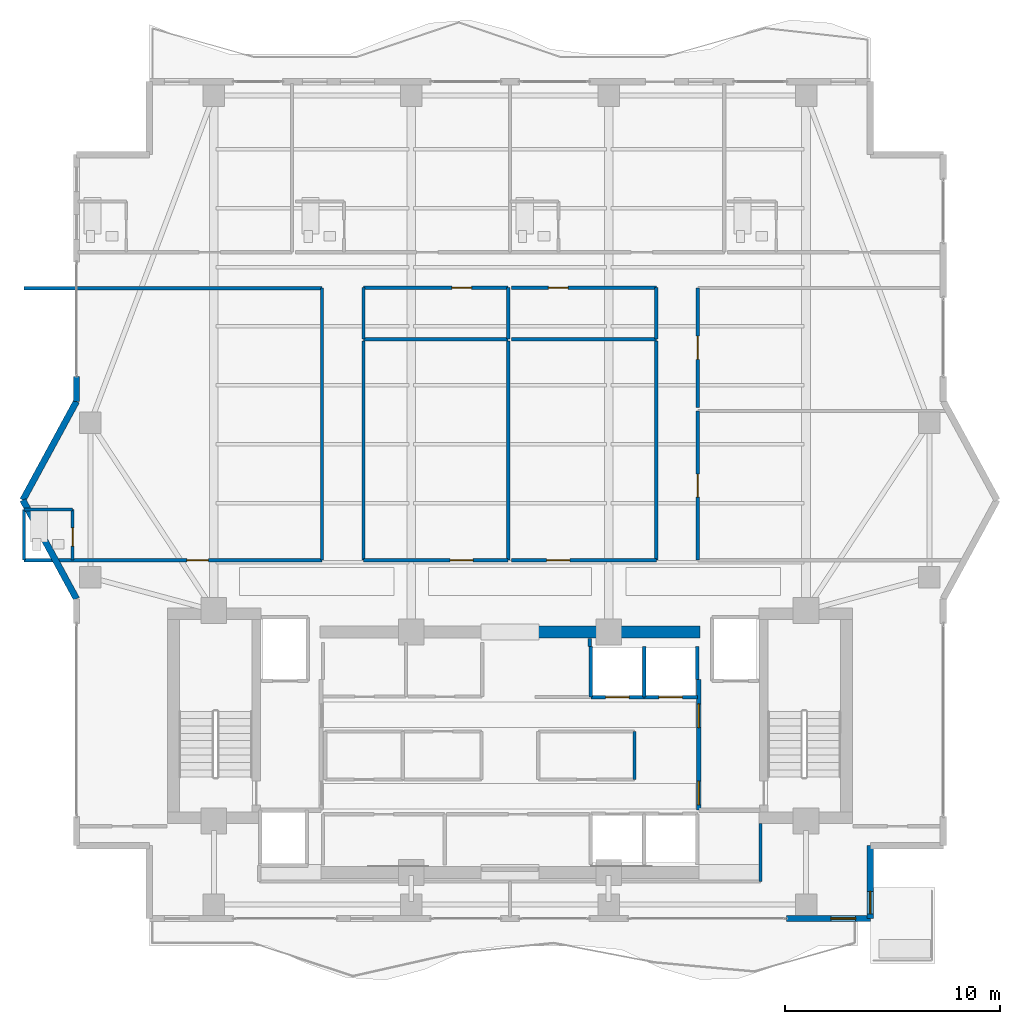
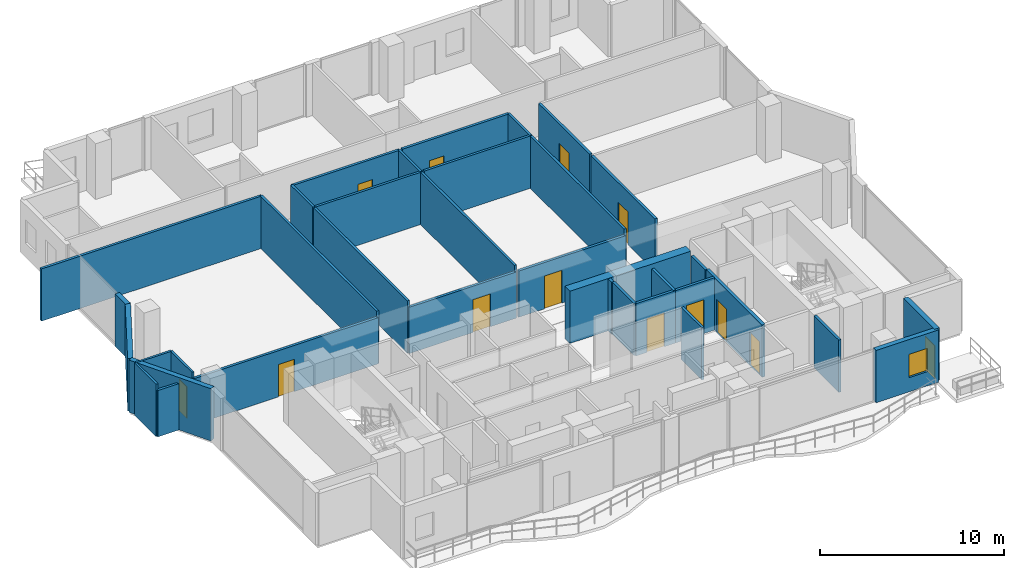
# One storey, part 20 of 25: 35 walls, 13 doors, 1 window, 14 openings.
"""IFC4 building model written with IfcOpenShell, lengths in metres."""

from ifc_helpers import new_model, si_unit, direction, frame, frame_2d, origin, place, context, subcontext, project, spatial, rectangle, extrude, material, layer, layer_set, type_object, element, fill, save


model = new_model("IFC4")

# Units and contexts
model_context = context("Model", 3, precision=1e-05, world=origin(), true_north=direction((0.0, 1.0)))
body_context = subcontext(model_context, "Body", "Model", "MODEL_VIEW")
ifc_project = project(units=[si_unit("LENGTHUNIT", "METRE"), si_unit("AREAUNIT", "SQUARE_METRE"), si_unit("VOLUMEUNIT", "CUBIC_METRE"), si_unit("PLANEANGLEUNIT", "RADIAN"), si_unit("MASSUNIT", "GRAM", prefix="KILO")], contexts=[model_context])

# Site, building, storey
site_placement = place(None, origin())
site = spatial("IfcSite", under=ifc_project, at=site_placement, CompositionType="ELEMENT")
building_placement = place(site_placement, origin())
building = spatial("IfcBuilding", under=site, at=building_placement, Name="Zuhayl Quay Hotel", CompositionType="ELEMENT")
storey_placement = place(building_placement, frame((0.0, 0.0, 250.75)))
storey = spatial("IfcBuildingStorey", under=building, at=storey_placement, Name="L63", CompositionType="ELEMENT", Elevation=250.75)

# Walls
ifc_material_1 = material(Name="Concrete C50/60", Category="concrete")
ifc_layer_1 = layer(ifc_material_1, 0.550048828125, Name="Concrete C50/60", Category="concrete")
ifc_layer_set_1 = layer_set([ifc_layer_1], Name="Concrete C50/60")
wall_type_1 = type_object("IfcWallType", Name="WL_CORE_550", PredefinedType="SHEAR", material=ifc_layer_set_1)
wall_1_placement = place(storey_placement, frame((1.25, 13.35009765625, 0.0), z_axis=(0.0, 0.0, 1.0), x_axis=(1.0, 0.0, 0.0)))
element("IfcWall", 1, at=wall_1_placement, inside=storey, type_object=wall_type_1, Name="L63 Core Shear Wall CW_NC_E", PredefinedType="SHEAR", context=body_context, shape_type="SweptSolid", body=[
    extrude(rectangle(XDim=7.60009765625, YDim=0.550048828125, at=frame_2d((3.800048828125, 0.0))), origin(), (0.0, 0.0, 1.0), 3.47998046875),
])
ifc_material_2 = material(Name="Precast concrete C45/55", Category="concrete")
ifc_layer_2 = layer(ifc_material_2, 0.300048828125, Name="Precast concrete C45/55", Category="concrete")
ifc_layer_set_2 = layer_set([ifc_layer_2], Name="Precast concrete C45/55")
wall_type_2 = type_object("IfcWallType", Name="WL_EXT_300", PredefinedType="STANDARD", material=ifc_layer_set_2)
for number, where, z_axis, x_axis, name in (
    (2, (-20.199951171875, 14.89990234375, 0.0), (0.0, 0.0, 1.0), (-0.477505494629, 0.878628762675, 0.0), "L63 Exterior Precast Wall ENV_L63_EW03"),
    (3, (-22.699951171875, 19.5, 0.0), (0.0, 0.0, 1.0), (0.477505494629, 0.878628762675, 0.0), "L63 Exterior Precast Wall ENV_L63_EW04"),
):
    element("IfcWall", number, at=place(storey_placement, frame(where, z_axis=z_axis, x_axis=x_axis)), inside=storey, type_object=wall_type_2, Name=name, PredefinedType="STANDARD", context=body_context, shape_type="SweptSolid", body=[
        extrude(rectangle(XDim=5.235595703125, YDim=0.300048828125, at=frame_2d((2.61767578125, 0.0))), origin(), (0.0, 0.0, 1.0), 3.47998046875),
    ])
wall_2_placement = place(storey_placement, frame((-20.199951171875, 24.10009765625, 0.0), z_axis=(0.0, 0.0, 1.0), x_axis=(0.0, 1.0, 0.0)))
element("IfcWall", 4, at=wall_2_placement, inside=storey, type_object=wall_type_2, Name="L63 Exterior Precast Wall ENV_L63_E05_EW1", PredefinedType="STANDARD", context=body_context, shape_type="SweptSolid", body=[
    extrude(rectangle(XDim=1.14990234375, YDim=0.300048828125, at=frame_2d((0.574951171875, 0.0))), origin(), (0.0, 0.0, 1.0), 3.47998046875),
])

# Wall, opening, door
wall_3_placement = place(storey_placement, frame((16.800048828125, 3.39990234375, 0.0), z_axis=(0.0, 0.0, 1.0), x_axis=(0.0, -1.0, 0.0)))
wall_3 = element("IfcWall", 5, at=wall_3_placement, inside=storey, type_object=wall_type_2, Name="L63 Exterior Precast Wall ENV_L63_SP_SE", PredefinedType="STANDARD", context=body_context, shape_type="SweptSolid", body=[
    extrude(rectangle(XDim=3.39990234375, YDim=0.300048828125, at=frame_2d((1.699951171875, 0.0))), origin(), (0.0, 0.0, 1.0), 3.47998046875),
])
opening_1_placement = place(wall_3_placement, frame((2.1298828125, 0.0, 0.0)))
opening_1 = element("IfcOpeningElement", 6, at=opening_1_placement, cuts=wall_3, Name="Opening DG1", PredefinedType="OPENING", context=body_context, shape_type="SweptSolid", body=[
    extrude(rectangle(XDim=1.050048828125, YDim=2.199951171875, at=frame_2d((0.52490234375, 1.10009765625))), frame((0.0, 0.159912109375, 0.0), z_axis=(0.0, -1.0, 0.0), x_axis=(1.0, 0.0, 0.0)), (0.0, 0.0, 1.0), 0.320068359375),
])
ifc_material_3 = material(Name="Anodised Aluminium and Dark Solar Glass", Category="aluminium")
door_type_1 = type_object("IfcDoorType", Name="DR_EXT_TERR_1050", OperationType="NOTDEFINED", PredefinedType="DOOR", material=ifc_material_3)
door_1_placement = place(opening_1_placement, origin())
door_1 = element("IfcDoor", 7, at=door_1_placement, inside=storey, type_object=door_type_1, Name="L63 Spiral Sky-Terrace SE Access Door", OperationType="SINGLE_SWING_LEFT", OverallHeight=2.199951171875, OverallWidth=1.050048828125, PredefinedType="DOOR", context=body_context, shape_type="SweptSolid", body=[
    extrude(rectangle(XDim=1.050048828125, YDim=2.199951171875, at=frame_2d((0.52490234375, 1.10009765625))), frame((0.0, 0.02490234375, 0.0), z_axis=(0.0, -1.0, 0.0), x_axis=(1.0, 0.0, 0.0)), (0.0, 0.0, 1.0), 0.050048828125),
])
fill(opening_1, door_1)

# Wall, opening, window
wall_4_placement = place(storey_placement, frame((16.800048828125, 0.0, 0.0), z_axis=(0.0, 0.0, 1.0), x_axis=(-1.0, 0.0, 0.0)))
wall_4 = element("IfcWall", 8, at=wall_4_placement, inside=storey, type_object=wall_type_2, Name="L63 Exterior Precast Wall ENV_L63_S_EW1", PredefinedType="STANDARD", context=body_context, shape_type="SweptSolid", body=[
    extrude(rectangle(XDim=3.920166015625, YDim=0.300048828125, at=frame_2d((1.9599609375, 0.0))), origin(), (0.0, 0.0, 1.0), 3.47998046875),
])
opening_2_placement = place(wall_4_placement, frame((0.695068359375, 0.0, 0.949951171875)))
opening_2 = element("IfcOpeningElement", 9, at=opening_2_placement, cuts=wall_4, Name="Opening W01N", PredefinedType="OPENING", context=body_context, shape_type="SweptSolid", body=[
    extrude(rectangle(XDim=1.14990234375, YDim=1.550048828125, at=frame_2d((0.574951171875, 0.77490234375))), frame((0.0, 0.159912109375, 0.0), z_axis=(0.0, -1.0, 0.0), x_axis=(1.0, 0.0, 0.0)), (0.0, 0.0, 1.0), 0.320068359375),
])
ifc_material_4 = material(Name="Dark Ceramic-Fritted Solar Glass", Category="glass")
window_type = type_object("IfcWindowType", Name="WN_NOTCH_1350", PartitioningType="SINGLE_PANEL", PredefinedType="WINDOW", material=ifc_material_4)
window_placement = place(opening_2_placement, origin())
window = element("IfcWindow", 10, at=window_placement, inside=storey, type_object=window_type, Name="L63 Operable Facade Window 1-1", OverallHeight=1.550048828125, OverallWidth=1.14990234375, PartitioningType="SINGLE_PANEL", PredefinedType="WINDOW", context=body_context, shape_type="SweptSolid", body=[
    extrude(rectangle(XDim=1.14990234375, YDim=1.550048828125, at=frame_2d((0.574951171875, 0.77490234375))), frame((0.0, 0.030029296875, 0.0), z_axis=(0.0, -1.0, 0.0), x_axis=(1.0, 0.0, 0.0)), (0.0, 0.0, 1.0), 0.06005859375),
])
fill(opening_2, window)

# Walls
ifc_material_5 = material(Name="Acoustic Gypsum Partition STC-58")
ifc_layer_3 = layer(ifc_material_5, 0.14990234375, Name="Acoustic Gypsum Partition STC-58")
ifc_layer_set_3 = layer_set([ifc_layer_3], Name="Acoustic Gypsum Partition STC-58")
wall_type_3 = type_object("IfcWallType", Name="WL_PART_150", PredefinedType="PARTITIONING", material=ifc_layer_set_3)
wall_5_placement = place(storey_placement, frame((5.81005859375, 6.47998046875, 0.0), z_axis=(0.0, 0.0, 1.0), x_axis=(0.0, 1.0, 0.0)))
element("IfcWall", 11, at=wall_5_placement, inside=storey, type_object=wall_type_3, Name="L63 Partition IW_L63_CORE_PN_E", PredefinedType="PARTITIONING", context=body_context, shape_type="SweptSolid", body=[
    extrude(rectangle(XDim=2.239990234375, YDim=0.14990234375, at=frame_2d((1.1201171875, 0.0))), origin(), (0.0, 0.0, 1.0), 3.47998046875),
])
wall_6_placement = place(storey_placement, frame((3.719970703125, 12.679931640625, 0.0), z_axis=(0.0, 0.0, 1.0), x_axis=(0.0, 1.0, 0.0)))
element("IfcWall", 12, at=wall_6_placement, inside=storey, type_object=wall_type_3, Name="L63 Partition IW_L63_VEST_MP4_E", PredefinedType="PARTITIONING", context=body_context, shape_type="SweptSolid", body=[
    extrude(rectangle(XDim=0.3701171875, YDim=0.14990234375, at=frame_2d((0.18505859375, 0.0))), origin(), (0.0, 0.0, 1.0), 3.47998046875),
])
wall_7_placement = place(storey_placement, frame((11.679931640625, 1.719970703125, 0.0), z_axis=(0.0, 0.0, 1.0), x_axis=(0.0, 1.0, 0.0)))
element("IfcWall", 13, at=wall_7_placement, inside=storey, type_object=wall_type_3, Name="L63 Partition IW_L63_Z4_SUN_SE_IN", PredefinedType="PARTITIONING", context=body_context, shape_type="SweptSolid", body=[
    extrude(rectangle(XDim=2.699951171875, YDim=0.14990234375, at=frame_2d((1.35009765625, 0.0))), origin(), (0.0, 0.0, 1.0), 3.47998046875),
])
wall_8_placement = place(storey_placement, frame((-6.820068359375, 27.0, 0.0), z_axis=(0.0, 0.0, 1.0), x_axis=(1.0, 0.0, 0.0)))
element("IfcWall", 14, at=wall_8_placement, inside=storey, type_object=wall_type_3, Name="L63 Partition IW_L63_HK_MAIN_S", PredefinedType="PARTITIONING", context=body_context, shape_type="SweptSolid", body=[
    extrude(rectangle(XDim=6.739990234375, YDim=0.14990234375, at=frame_2d((3.3701171875, 0.0))), origin(), (0.0, 0.0, 1.0), 3.47998046875),
])
for number, where, z_axis, x_axis, name in (
    (15, (-6.820068359375, 27.0, 0.0), (0.0, 0.0, 1.0), (0.0, 1.0, 0.0), "L63 Partition IW_L63_HK_MAIN_W"),
    (16, (-0.080078125, 27.0, 0.0), (0.0, 0.0, 1.0), (0.0, 1.0, 0.0), "L63 Partition IW_L63_HK_MAIN_E"),
):
    element("IfcWall", number, at=place(storey_placement, frame(where, z_axis=z_axis, x_axis=x_axis)), inside=storey, type_object=wall_type_3, Name=name, PredefinedType="PARTITIONING", context=body_context, shape_type="SweptSolid", body=[
        extrude(rectangle(XDim=2.39990234375, YDim=0.14990234375, at=frame_2d((1.199951171875, 0.0))), origin(), (0.0, 0.0, 1.0), 3.47998046875),
    ])
wall_9_placement = place(storey_placement, frame((0.080078125, 27.0, 0.0), z_axis=(0.0, 0.0, 1.0), x_axis=(1.0, 0.0, 0.0)))
element("IfcWall", 17, at=wall_9_placement, inside=storey, type_object=wall_type_3, Name="L63 Partition IW_L63_TEA_MAIN_S", PredefinedType="PARTITIONING", context=body_context, shape_type="SweptSolid", body=[
    extrude(rectangle(XDim=6.739990234375, YDim=0.14990234375, at=frame_2d((3.3701171875, 0.0))), origin(), (0.0, 0.0, 1.0), 3.47998046875),
])
wall_10_placement = place(storey_placement, frame((6.820068359375, 27.0, 0.0), z_axis=(0.0, 0.0, 1.0), x_axis=(0.0, 1.0, 0.0)))
element("IfcWall", 18, at=wall_10_placement, inside=storey, type_object=wall_type_3, Name="L63 Partition IW_L63_TEA_MAIN_E", PredefinedType="PARTITIONING", context=body_context, shape_type="SweptSolid", body=[
    extrude(rectangle(XDim=2.39990234375, YDim=0.14990234375, at=frame_2d((1.199951171875, 0.0))), origin(), (0.0, 0.0, 1.0), 3.47998046875),
])
for number, where, z_axis, x_axis, name in (
    (19, (-6.820068359375, 16.699951171875, 0.0), (0.0, 0.0, 1.0), (0.0, 1.0, 0.0), "L63 Partition IW_L63_Z4_C1_W"),
    (20, (-0.080078125, 16.699951171875, 0.0), (0.0, 0.0, 1.0), (0.0, 1.0, 0.0), "L63 Partition IW_L63_Z4_C1_E"),
    (21, (6.820068359375, 16.699951171875, 0.0), (0.0, 0.0, 1.0), (0.0, 1.0, 0.0), "L63 Partition IW_L63_Z4_C2_E"),
):
    element("IfcWall", number, at=place(storey_placement, frame(where, z_axis=z_axis, x_axis=x_axis)), inside=storey, type_object=wall_type_3, Name=name, PredefinedType="PARTITIONING", context=body_context, shape_type="SweptSolid", body=[
        extrude(rectangle(XDim=10.219970703125, YDim=0.14990234375, at=frame_2d((5.10986328125, 0.0))), origin(), (0.0, 0.0, 1.0), 3.47998046875),
    ])
wall_11_placement = place(storey_placement, frame((-8.760009765625, 16.699951171875, 0.0), z_axis=(0.0, 0.0, 1.0), x_axis=(0.0, 1.0, 0.0)))
element("IfcWall", 22, at=wall_11_placement, inside=storey, type_object=wall_type_3, Name="L63 Partition IW_L63_WU01_E", PredefinedType="PARTITIONING", context=body_context, shape_type="SweptSolid", body=[
    extrude(rectangle(XDim=12.679931640625, YDim=0.14990234375, at=frame_2d((6.33984375, 0.0))), origin(), (0.0, 0.0, 1.0), 3.47998046875),
])

# Wall, opening, door
ifc_layer_4 = layer(ifc_material_5, 0.159912109375, Name="Acoustic Gypsum Partition STC-58")
ifc_layer_set_4 = layer_set([ifc_layer_4], Name="Acoustic Gypsum Partition STC-58")
wall_type_4 = type_object("IfcWallType", Name="WL_PART_CORR_160", PredefinedType="PARTITIONING", material=ifc_layer_set_4)
wall_12_placement = place(storey_placement, frame((-6.820068359375, 29.39990234375, 0.0), z_axis=(0.0, 0.0, 1.0), x_axis=(1.0, 0.0, 0.0)))
wall_12 = element("IfcWall", 23, at=wall_12_placement, inside=storey, type_object=wall_type_4, Name="L63 Partition IW_L63_HK_MAIN_N", PredefinedType="PARTITIONING", context=body_context, shape_type="SweptSolid", body=[
    extrude(rectangle(XDim=6.739990234375, YDim=0.159912109375, at=frame_2d((3.3701171875, 0.0))), origin(), (0.0, 0.0, 1.0), 3.47998046875),
])
opening_3_placement = place(wall_12_placement, frame((4.110107421875, 0.0, 0.0)))
opening_3 = element("IfcOpeningElement", 24, at=opening_3_placement, cuts=wall_12, Name="Opening D05", PredefinedType="OPENING", context=body_context, shape_type="SweptSolid", body=[
    extrude(rectangle(XDim=0.919921875, YDim=2.1201171875, at=frame_2d((0.4599609375, 1.06005859375))), frame((0.0, 0.08984375, 0.0), z_axis=(0.0, -1.0, 0.0), x_axis=(1.0, 0.0, 0.0)), (0.0, 0.0, 1.0), 0.179931640625),
])
ifc_material_6 = material(Name="Solid Walnut Acoustic Fire Door")
door_type_2 = type_object("IfcDoorType", Name="DR_INT_950", OperationType="NOTDEFINED", PredefinedType="DOOR", material=ifc_material_6)
door_2_placement = place(opening_3_placement, origin())
door_2 = element("IfcDoor", 25, at=door_2_placement, inside=storey, type_object=door_type_2, Name="L63 Housekeeping and Linen Room Door", OperationType="SINGLE_SWING_LEFT", OverallHeight=2.1201171875, OverallWidth=0.919921875, PredefinedType="DOOR", context=body_context, shape_type="SweptSolid", body=[
    extrude(rectangle(XDim=0.919921875, YDim=2.1201171875, at=frame_2d((0.4599609375, 1.06005859375))), frame((0.0, 0.02490234375, 0.0), z_axis=(0.0, -1.0, 0.0), x_axis=(1.0, 0.0, 0.0)), (0.0, 0.0, 1.0), 0.050048828125),
])
fill(opening_3, door_2)

wall_13_placement = place(storey_placement, frame((0.080078125, 29.39990234375, 0.0), z_axis=(0.0, 0.0, 1.0), x_axis=(1.0, 0.0, 0.0)))
wall_13 = element("IfcWall", 26, at=wall_13_placement, inside=storey, type_object=wall_type_4, Name="L63 Partition IW_L63_TEA_MAIN_N", PredefinedType="PARTITIONING", context=body_context, shape_type="SweptSolid", body=[
    extrude(rectangle(XDim=6.739990234375, YDim=0.159912109375, at=frame_2d((3.3701171875, 0.0))), origin(), (0.0, 0.0, 1.0), 3.47998046875),
])
opening_4_placement = place(wall_13_placement, frame((1.7099609375, 0.0, 0.0)))
opening_4 = element("IfcOpeningElement", 27, at=opening_4_placement, cuts=wall_13, Name="Opening D05", PredefinedType="OPENING", context=body_context, shape_type="SweptSolid", body=[
    extrude(rectangle(XDim=0.919921875, YDim=2.1201171875, at=frame_2d((0.4599609375, 1.06005859375))), frame((0.0, 0.08984375, 0.0), z_axis=(0.0, -1.0, 0.0), x_axis=(1.0, 0.0, 0.0)), (0.0, 0.0, 1.0), 0.179931640625),
])
door_3_placement = place(opening_4_placement, origin())
door_3 = element("IfcDoor", 28, at=door_3_placement, inside=storey, type_object=door_type_2, Name="L63 Floor Beverage Pantry Door", OperationType="SINGLE_SWING_RIGHT", OverallHeight=2.1201171875, OverallWidth=0.919921875, PredefinedType="DOOR", context=body_context, shape_type="SweptSolid", body=[
    extrude(rectangle(XDim=0.919921875, YDim=2.1201171875, at=frame_2d((0.4599609375, 1.06005859375))), frame((0.0, 0.02490234375, 0.0), z_axis=(0.0, -1.0, 0.0), x_axis=(1.0, 0.0, 0.0)), (0.0, 0.0, 1.0), 0.050048828125),
])
fill(opening_4, door_3)

wall_14_placement = place(storey_placement, frame((-6.820068359375, 16.699951171875, 0.0), z_axis=(0.0, 0.0, 1.0), x_axis=(1.0, 0.0, 0.0)))
wall_14 = element("IfcWall", 29, at=wall_14_placement, inside=storey, type_object=wall_type_4, Name="L63 Partition IW_L63_Z4_C1_S", PredefinedType="PARTITIONING", context=body_context, shape_type="SweptSolid", body=[
    extrude(rectangle(XDim=6.739990234375, YDim=0.159912109375, at=frame_2d((3.3701171875, 0.0))), origin(), (0.0, 0.0, 1.0), 3.075927734375),
])
opening_5_placement = place(wall_14_placement, frame((4.030029296875, 0.0, 0.0)))
opening_5 = element("IfcOpeningElement", 30, at=opening_5_placement, cuts=wall_14, Name="Opening D05A", PredefinedType="OPENING", context=body_context, shape_type="SweptSolid", body=[
    extrude(rectangle(XDim=1.080078125, YDim=2.179931640625, at=frame_2d((0.5400390625, 1.08984375))), frame((0.0, 0.08984375, 0.0), z_axis=(0.0, -1.0, 0.0), x_axis=(1.0, 0.0, 0.0)), (0.0, 0.0, 1.0), 0.179931640625),
])
door_type_3 = type_object("IfcDoorType", Name="DR_INT_1100", OperationType="NOTDEFINED", PredefinedType="DOOR", material=ifc_material_6)
door_4_placement = place(opening_5_placement, origin())
door_4 = element("IfcDoor", 31, at=door_4_placement, inside=storey, type_object=door_type_3, Name="L63 Presidential Dining Room Door", OperationType="SINGLE_SWING_LEFT", OverallHeight=2.179931640625, OverallWidth=1.080078125, PredefinedType="DOOR", context=body_context, shape_type="SweptSolid", body=[
    extrude(rectangle(XDim=1.080078125, YDim=2.179931640625, at=frame_2d((0.5400390625, 1.08984375))), frame((0.0, 0.02490234375, 0.0), z_axis=(0.0, -1.0, 0.0), x_axis=(1.0, 0.0, 0.0)), (0.0, 0.0, 1.0), 0.050048828125),
])
fill(opening_5, door_4)

wall_15_placement = place(storey_placement, frame((0.080078125, 16.699951171875, 0.0), z_axis=(0.0, 0.0, 1.0), x_axis=(1.0, 0.0, 0.0)))
wall_15 = element("IfcWall", 32, at=wall_15_placement, inside=storey, type_object=wall_type_4, Name="L63 Partition IW_L63_Z4_C2_S", PredefinedType="PARTITIONING", context=body_context, shape_type="SweptSolid", body=[
    extrude(rectangle(XDim=6.739990234375, YDim=0.159912109375, at=frame_2d((3.3701171875, 0.0))), origin(), (0.0, 0.0, 1.0), 3.075927734375),
])
opening_6_placement = place(wall_15_placement, frame((1.6298828125, 0.0, 0.0)))
opening_6 = element("IfcOpeningElement", 33, at=opening_6_placement, cuts=wall_15, Name="Opening D05A", PredefinedType="OPENING", context=body_context, shape_type="SweptSolid", body=[
    extrude(rectangle(XDim=1.080078125, YDim=2.179931640625, at=frame_2d((0.5400390625, 1.08984375))), frame((0.0, 0.08984375, 0.0), z_axis=(0.0, -1.0, 0.0), x_axis=(1.0, 0.0, 0.0)), (0.0, 0.0, 1.0), 0.179931640625),
])
door_5_placement = place(opening_6_placement, origin())
door_5 = element("IfcDoor", 34, at=door_5_placement, inside=storey, type_object=door_type_3, Name="L63 Presidential Reading Library Door", OperationType="SINGLE_SWING_RIGHT", OverallHeight=2.179931640625, OverallWidth=1.080078125, PredefinedType="DOOR", context=body_context, shape_type="SweptSolid", body=[
    extrude(rectangle(XDim=1.080078125, YDim=2.179931640625, at=frame_2d((0.5400390625, 1.08984375))), frame((0.0, 0.02490234375, 0.0), z_axis=(0.0, -1.0, 0.0), x_axis=(1.0, 0.0, 0.0)), (0.0, 0.0, 1.0), 0.050048828125),
])
fill(opening_6, door_5)

wall_16_placement = place(storey_placement, frame((-22.639892578125, 16.699951171875, 0.0), z_axis=(0.0, 0.0, 1.0), x_axis=(1.0, 0.0, 0.0)))
wall_16 = element("IfcWall", 35, at=wall_16_placement, inside=storey, type_object=wall_type_4, Name="L63 Partition IW_L63_WU01_COR", PredefinedType="PARTITIONING", context=body_context, shape_type="SweptSolid", body=[
    extrude(rectangle(XDim=13.8798828125, YDim=0.159912109375, at=frame_2d((6.93994140625, 0.0))), origin(), (0.0, 0.0, 1.0), 3.075927734375),
])
opening_7_placement = place(wall_16_placement, frame((7.590087890625, 0.0, 0.0)))
opening_7 = element("IfcOpeningElement", 36, at=opening_7_placement, cuts=wall_16, Name="Opening D03L", PredefinedType="OPENING", context=body_context, shape_type="SweptSolid", body=[
    extrude(rectangle(XDim=1.0, YDim=2.14990234375, at=frame_2d((0.5, 1.074951171875))), frame((0.0, 0.08984375, 0.0), z_axis=(0.0, -1.0, 0.0), x_axis=(1.0, 0.0, 0.0)), (0.0, 0.0, 1.0), 0.179931640625),
])
door_type_4 = type_object("IfcDoorType", Name="DR_SUITE_1000", OperationType="NOTDEFINED", PredefinedType="DOOR", material=ifc_material_6)
door_6_placement = place(opening_7_placement, origin())
door_6 = element("IfcDoor", 37, at=door_6_placement, inside=storey, type_object=door_type_4, Name="L63 Presidential West Suite L63 Entrance Door", OperationType="SINGLE_SWING_RIGHT", OverallHeight=2.14990234375, OverallWidth=1.0, PredefinedType="DOOR", context=body_context, shape_type="SweptSolid", body=[
    extrude(rectangle(XDim=1.0, YDim=2.14990234375, at=frame_2d((0.5, 1.074951171875))), frame((0.0, 0.02490234375, 0.0), z_axis=(0.0, -1.0, 0.0), x_axis=(1.0, 0.0, 0.0)), (0.0, 0.0, 1.0), 0.050048828125),
])
fill(opening_7, door_6)

wall_17_placement = place(storey_placement, frame((8.760009765625, 16.699951171875, 0.0), z_axis=(0.0, 0.0, 1.0), x_axis=(0.0, 1.0, 0.0)))
wall_17 = element("IfcWall", 38, at=wall_17_placement, inside=storey, type_object=wall_type_4, Name="L63 Partition IW_L63_Z4_E1_W", PredefinedType="PARTITIONING", context=body_context, shape_type="SweptSolid", body=[
    extrude(rectangle(XDim=6.949951171875, YDim=0.159912109375, at=frame_2d((3.47509765625, 0.0))), origin(), (0.0, 0.0, 1.0), 3.47998046875),
])
opening_8_placement = place(wall_17_placement, frame((2.93505859375, 0.0, 0.0)))
opening_8 = element("IfcOpeningElement", 39, at=opening_8_placement, cuts=wall_17, Name="Opening D05A", PredefinedType="OPENING", context=body_context, shape_type="SweptSolid", body=[
    extrude(rectangle(XDim=1.080078125, YDim=2.179931640625, at=frame_2d((0.5400390625, 1.08984375))), frame((0.0, 0.08984375, 0.0), z_axis=(0.0, -1.0, 0.0), x_axis=(1.0, 0.0, 0.0)), (0.0, 0.0, 1.0), 0.179931640625),
])
door_7_placement = place(opening_8_placement, origin())
door_7 = element("IfcDoor", 40, at=door_7_placement, inside=storey, type_object=door_type_3, Name="L63 East Diplomatic Dining Room Door", OperationType="SINGLE_SWING_LEFT", OverallHeight=2.179931640625, OverallWidth=1.080078125, PredefinedType="DOOR", context=body_context, shape_type="SweptSolid", body=[
    extrude(rectangle(XDim=1.080078125, YDim=2.179931640625, at=frame_2d((0.5400390625, 1.08984375))), frame((0.0, 0.02490234375, 0.0), z_axis=(0.0, -1.0, 0.0), x_axis=(1.0, 0.0, 0.0)), (0.0, 0.0, 1.0), 0.050048828125),
])
fill(opening_8, door_7)

wall_18_placement = place(storey_placement, frame((8.760009765625, 23.81005859375, 0.0), z_axis=(0.0, 0.0, 1.0), x_axis=(0.0, 1.0, 0.0)))
wall_18 = element("IfcWall", 41, at=wall_18_placement, inside=storey, type_object=wall_type_4, Name="L63 Partition IW_L63_Z4_E2_W", PredefinedType="PARTITIONING", context=body_context, shape_type="SweptSolid", body=[
    extrude(rectangle(XDim=5.56982421875, YDim=0.159912109375, at=frame_2d((2.784912109375, 0.0))), origin(), (0.0, 0.0, 1.0), 3.47998046875),
])
opening_9_placement = place(wall_18_placement, frame((2.2451171875, 0.0, 0.0)))
opening_9 = element("IfcOpeningElement", 42, at=opening_9_placement, cuts=wall_18, Name="Opening D05A", PredefinedType="OPENING", context=body_context, shape_type="SweptSolid", body=[
    extrude(rectangle(XDim=1.080078125, YDim=2.179931640625, at=frame_2d((0.5400390625, 1.08984375))), frame((0.0, 0.08984375, 0.0), z_axis=(0.0, -1.0, 0.0), x_axis=(1.0, 0.0, 0.0)), (0.0, 0.0, 1.0), 0.179931640625),
])
door_8_placement = place(opening_9_placement, origin())
door_8 = element("IfcDoor", 43, at=door_8_placement, inside=storey, type_object=door_type_3, Name="L63 East Envoy Lounge Door", OperationType="SINGLE_SWING_RIGHT", OverallHeight=2.179931640625, OverallWidth=1.080078125, PredefinedType="DOOR", context=body_context, shape_type="SweptSolid", body=[
    extrude(rectangle(XDim=1.080078125, YDim=2.179931640625, at=frame_2d((0.5400390625, 1.08984375))), frame((0.0, 0.02490234375, 0.0), z_axis=(0.0, -1.0, 0.0), x_axis=(1.0, 0.0, 0.0)), (0.0, 0.0, 1.0), 0.050048828125),
])
fill(opening_9, door_8)

# Wall
wall_19_placement = place(storey_placement, frame((-22.639892578125, 29.3798828125, 0.0), z_axis=(0.0, 0.0, 1.0), x_axis=(1.0, 0.0, 0.0)))
element("IfcWall", 44, at=wall_19_placement, inside=storey, type_object=wall_type_4, Name="L63 Partition IW_L63_WU01_BK", PredefinedType="PARTITIONING", context=body_context, shape_type="SweptSolid", body=[
    extrude(rectangle(XDim=13.8798828125, YDim=0.159912109375, at=frame_2d((6.93994140625, 0.0))), origin(), (0.0, 0.0, 1.0), 3.47998046875),
])

# Wall, opening, door
ifc_material_7 = material(Name="Moisture-Resistant Sanitarychase Gypsum")
ifc_layer_5 = layer(ifc_material_7, 0.135009765625, Name="Moisture-Resistant Sanitarychase Gypsum")
ifc_layer_set_5 = layer_set([ifc_layer_5], Name="Moisture-Resistant Sanitarychase Gypsum")
wall_type_5 = type_object("IfcWallType", Name="WL_PART_PLUMB_150", PredefinedType="PLUMBINGWALL", material=ifc_layer_set_5)
wall_20_placement = place(storey_placement, frame((-20.3798828125, 16.699951171875, 0.0), z_axis=(0.0, 0.0, 1.0), x_axis=(0.0, 1.0, 0.0)))
wall_20 = element("IfcWall", 45, at=wall_20_placement, inside=storey, type_object=wall_type_5, Name="L63 Partition IW_L63_WU01_BE", PredefinedType="PLUMBINGWALL", context=body_context, shape_type="SweptSolid", body=[
    extrude(rectangle(XDim=2.360107421875, YDim=0.135009765625, at=frame_2d((1.18017578125, 0.0))), origin(), (0.0, 0.0, 1.0), 3.47998046875),
])
opening_10_placement = place(wall_20_placement, frame((0.64990234375, 0.0, 0.0)))
opening_10 = element("IfcOpeningElement", 46, at=opening_10_placement, cuts=wall_20, Name="Opening D04", PredefinedType="OPENING", context=body_context, shape_type="SweptSolid", body=[
    extrude(rectangle(XDim=0.85009765625, YDim=2.10009765625, at=frame_2d((0.425048828125, 1.050048828125))), frame((0.0, 0.077392578125, 0.0), z_axis=(0.0, -1.0, 0.0), x_axis=(1.0, 0.0, 0.0)), (0.0, 0.0, 1.0), 0.155029296875),
])
ifc_material_8 = material(Name="Moisture-Resistant Walnut Veneer")
door_type_5 = type_object("IfcDoorType", Name="DR_BATH_850", OperationType="NOTDEFINED", PredefinedType="DOOR", material=ifc_material_8)
door_9_placement = place(opening_10_placement, origin())
door_9 = element("IfcDoor", 47, at=door_9_placement, inside=storey, type_object=door_type_5, Name="L63 Presidential West Suite L63 En-Suite Door", OperationType="SINGLE_SWING_LEFT", OverallHeight=2.10009765625, OverallWidth=0.85009765625, PredefinedType="DOOR", context=body_context, shape_type="SweptSolid", body=[
    extrude(rectangle(XDim=0.85009765625, YDim=2.10009765625, at=frame_2d((0.425048828125, 1.050048828125))), frame((0.0, 0.02490234375, 0.0), z_axis=(0.0, -1.0, 0.0), x_axis=(1.0, 0.0, 0.0)), (0.0, 0.0, 1.0), 0.050048828125),
])
fill(opening_10, door_9)

# Walls
wall_21_placement = place(storey_placement, frame((-22.639892578125, 19.06005859375, 0.0), z_axis=(0.0, 0.0, 1.0), x_axis=(1.0, 0.0, 0.0)))
element("IfcWall", 48, at=wall_21_placement, inside=storey, type_object=wall_type_5, Name="L63 Partition IW_L63_WU01_BN", PredefinedType="PLUMBINGWALL", context=body_context, shape_type="SweptSolid", body=[
    extrude(rectangle(XDim=2.260009765625, YDim=0.135009765625, at=frame_2d((1.1298828125, 0.0))), origin(), (0.0, 0.0, 1.0), 3.47998046875),
])
wall_22_placement = place(storey_placement, frame((-22.639892578125, 16.699951171875, 0.0), z_axis=(0.0, 0.0, 1.0), x_axis=(0.0, 1.0, 0.0)))
element("IfcWall", 49, at=wall_22_placement, inside=storey, type_object=wall_type_5, Name="L63 Partition IW_L63_WU01_BW", PredefinedType="PLUMBINGWALL", context=body_context, shape_type="SweptSolid", body=[
    extrude(rectangle(XDim=2.360107421875, YDim=0.135009765625, at=frame_2d((1.18017578125, 0.0))), origin(), (0.0, 0.0, 1.0), 3.47998046875),
])

# Wall, opening, door
ifc_material_9 = material(Name="Gypsum Fireboard Assembly EI-90")
ifc_layer_6 = layer(ifc_material_9, 0.1650390625, Name="Gypsum Fireboard Assembly EI-90")
ifc_layer_set_6 = layer_set([ifc_layer_6], Name="Gypsum Fireboard Assembly EI-90")
wall_type_6 = type_object("IfcWallType", Name="WL_PART_SHAFT_160", PredefinedType="PARTITIONING", material=ifc_layer_set_6)
wall_23_placement = place(storey_placement, frame((3.77001953125, 10.320068359375, 0.0), z_axis=(0.0, 0.0, 1.0), x_axis=(1.0, 0.0, 0.0)))
wall_23 = element("IfcWall", 50, at=wall_23_placement, inside=storey, type_object=wall_type_6, Name="L63 Partition IW_L63_SH_HP3_F", PredefinedType="PARTITIONING", context=body_context, shape_type="SweptSolid", body=[
    extrude(rectangle(XDim=2.47998046875, YDim=0.1650390625, at=frame_2d((1.239990234375, 0.0))), origin(), (0.0, 0.0, 1.0), 3.47998046875),
])
opening_11_placement = place(wall_23_placement, frame((0.68994140625, 0.0, 0.0)))
opening_11 = element("IfcOpeningElement", 51, at=opening_11_placement, cuts=wall_23, Name="Opening LD1", PredefinedType="OPENING", context=body_context, shape_type="SweptSolid", body=[
    extrude(rectangle(XDim=1.10009765625, YDim=2.25, at=frame_2d((0.550048828125, 1.125))), frame((0.0, 0.092529296875, 0.0), z_axis=(0.0, -1.0, 0.0), x_axis=(1.0, 0.0, 0.0)), (0.0, 0.0, 1.0), 0.18505859375),
])
ifc_material_10 = material(Name="Brushed Stainless Steel", Category="steel")
door_type_6 = type_object("IfcDoorType", Name="DR_LIFT_PASS_1100", OperationType="SLIDING_TO_LEFT", PredefinedType="DOOR", material=ifc_material_10)
door_10_placement = place(opening_11_placement, origin())
door_10 = element("IfcDoor", 52, at=door_10_placement, inside=storey, type_object=door_type_6, Name="L63 Lift HP3 Sliding Landing Door", OperationType="SLIDING_TO_LEFT", OverallHeight=2.25, OverallWidth=1.10009765625, PredefinedType="DOOR", context=body_context, shape_type="SweptSolid", body=[
    extrude(rectangle(XDim=1.10009765625, YDim=2.25, at=frame_2d((0.550048828125, 1.125))), frame((0.0, 0.02490234375, 0.0), z_axis=(0.0, -1.0, 0.0), x_axis=(1.0, 0.0, 0.0)), (0.0, 0.0, 1.0), 0.050048828125),
])
fill(opening_11, door_10)

wall_24_placement = place(storey_placement, frame((6.25, 10.320068359375, 0.0), z_axis=(0.0, 0.0, 1.0), x_axis=(1.0, 0.0, 0.0)))
wall_24 = element("IfcWall", 53, at=wall_24_placement, inside=storey, type_object=wall_type_6, Name="L63 Partition IW_L63_SH_HP4_F", PredefinedType="PARTITIONING", context=body_context, shape_type="SweptSolid", body=[
    extrude(rectangle(XDim=2.47998046875, YDim=0.1650390625, at=frame_2d((1.239990234375, 0.0))), origin(), (0.0, 0.0, 1.0), 3.47998046875),
])
opening_12_placement = place(wall_24_placement, frame((0.68994140625, 0.0, 0.0)))
opening_12 = element("IfcOpeningElement", 54, at=opening_12_placement, cuts=wall_24, Name="Opening LD1", PredefinedType="OPENING", context=body_context, shape_type="SweptSolid", body=[
    extrude(rectangle(XDim=1.10009765625, YDim=2.25, at=frame_2d((0.550048828125, 1.125))), frame((0.0, 0.092529296875, 0.0), z_axis=(0.0, -1.0, 0.0), x_axis=(1.0, 0.0, 0.0)), (0.0, 0.0, 1.0), 0.18505859375),
])
door_11_placement = place(opening_12_placement, origin())
door_11 = element("IfcDoor", 55, at=door_11_placement, inside=storey, type_object=door_type_6, Name="L63 Lift HP4 Sliding Landing Door", OperationType="SLIDING_TO_LEFT", OverallHeight=2.25, OverallWidth=1.10009765625, PredefinedType="DOOR", context=body_context, shape_type="SweptSolid", body=[
    extrude(rectangle(XDim=1.10009765625, YDim=2.25, at=frame_2d((0.550048828125, 1.125))), frame((0.0, 0.02490234375, 0.0), z_axis=(0.0, -1.0, 0.0), x_axis=(1.0, 0.0, 0.0)), (0.0, 0.0, 1.0), 0.050048828125),
])
fill(opening_12, door_11)

# Walls
for number, where, z_axis, x_axis, name in (
    (56, (3.77001953125, 10.320068359375, 0.0), (0.0, 0.0, 1.0), (0.0, 1.0, 0.0), "L63 Partition IW_L63_SH_HP3_W"),
    (57, (6.25, 10.320068359375, 0.0), (0.0, 0.0, 1.0), (0.0, 1.0, 0.0), "L63 Partition IW_L63_SH_HP3_E"),
):
    element("IfcWall", number, at=place(storey_placement, frame(where, z_axis=z_axis, x_axis=x_axis)), inside=storey, type_object=wall_type_6, Name=name, PredefinedType="PARTITIONING", context=body_context, shape_type="SweptSolid", body=[
        extrude(rectangle(XDim=2.35986328125, YDim=0.1650390625, at=frame_2d((1.179931640625, 0.0))), origin(), (0.0, 0.0, 1.0), 3.47998046875),
    ])
wall_25_placement = place(storey_placement, frame((8.72998046875, 11.14990234375, 0.0), z_axis=(0.0, 0.0, 1.0), x_axis=(0.0, 1.0, 0.0)))
element("IfcWall", 58, at=wall_25_placement, inside=storey, type_object=wall_type_6, Name="L63 Partition IW_L63_SH_HP4_E", PredefinedType="PARTITIONING", context=body_context, shape_type="SweptSolid", body=[
    extrude(rectangle(XDim=1.530029296875, YDim=0.1650390625, at=frame_2d((0.76513671875, 0.0))), origin(), (0.0, 0.0, 1.0), 3.47998046875),
])

# Wall, openings, doors
ifc_material_11 = material(Name="Gypsum Fireboard Assembly EI-120")
ifc_layer_7 = layer(ifc_material_11, 0.199951171875, Name="Gypsum Fireboard Assembly EI-120")
ifc_layer_set_7 = layer_set([ifc_layer_7], Name="Gypsum Fireboard Assembly EI-120")
wall_type_7 = type_object("IfcWallType", Name="WL_PART_SHAFT_200", PredefinedType="PARTITIONING", material=ifc_layer_set_7)
wall_26_placement = place(storey_placement, frame((8.800048828125, 11.14990234375, 0.0), z_axis=(0.0, 0.0, 1.0), x_axis=(0.0, -1.0, 0.0)))
wall_26 = element("IfcWall", 59, at=wall_26_placement, inside=storey, type_object=wall_type_7, Name="L63 Partition IW_L63_FSAE_E_W", PredefinedType="PARTITIONING", context=body_context, shape_type="SweptSolid", body=[
    extrude(rectangle(XDim=6.099853515625, YDim=0.199951171875, at=frame_2d((3.0498046875, 0.0))), origin(), (0.0, 0.0, 1.0), 3.47998046875),
])
opening_13_placement = place(wall_26_placement, frame((1.14990234375, 0.0, 0.0)))
opening_13 = element("IfcOpeningElement", 60, at=opening_13_placement, cuts=wall_26, Name="Opening D02", PredefinedType="OPENING", context=body_context, shape_type="SweptSolid", body=[
    extrude(rectangle(XDim=1.10009765625, YDim=2.199951171875, at=frame_2d((0.550048828125, 1.10009765625))), frame((0.0, 0.10986328125, 0.0), z_axis=(0.0, -1.0, 0.0), x_axis=(1.0, 0.0, 0.0)), (0.0, 0.0, 1.0), 0.219970703125),
])
opening_14_placement = place(wall_26_placement, frame((4.75, 0.0, 0.0)))
opening_14 = element("IfcOpeningElement", 61, at=opening_14_placement, cuts=wall_26, Name="Opening D02", PredefinedType="OPENING", context=body_context, shape_type="SweptSolid", body=[
    extrude(rectangle(XDim=1.10009765625, YDim=2.199951171875, at=frame_2d((0.550048828125, 1.10009765625))), frame((0.0, 0.10986328125, 0.0), z_axis=(0.0, -1.0, 0.0), x_axis=(1.0, 0.0, 0.0)), (0.0, 0.0, 1.0), 0.219970703125),
])
ifc_material_12 = material(Name="Steel ASTM A992 Grade 50", Category="steel")
door_type_7 = type_object("IfcDoorType", Name="DR_FIRE_90_1100", OperationType="NOTDEFINED", PredefinedType="DOOR", material=ifc_material_12)
door_12_placement = place(opening_13_placement, origin())
door_12 = element("IfcDoor", 62, at=door_12_placement, inside=storey, type_object=door_type_7, Name="L63 FSAE Lobby East North Entry Door", OperationType="SINGLE_SWING_RIGHT", OverallHeight=2.199951171875, OverallWidth=1.10009765625, PredefinedType="DOOR", context=body_context, shape_type="SweptSolid", body=[
    extrude(rectangle(XDim=1.10009765625, YDim=2.199951171875, at=frame_2d((0.550048828125, 1.10009765625))), frame((0.0, 0.02490234375, 0.0), z_axis=(0.0, -1.0, 0.0), x_axis=(1.0, 0.0, 0.0)), (0.0, 0.0, 1.0), 0.050048828125),
])
fill(opening_13, door_12)
door_13_placement = place(opening_14_placement, origin())
door_13 = element("IfcDoor", 63, at=door_13_placement, inside=storey, type_object=door_type_7, Name="L63 FSAE Lobby East South Entry Door", OperationType="SINGLE_SWING_LEFT", OverallHeight=2.199951171875, OverallWidth=1.10009765625, PredefinedType="DOOR", context=body_context, shape_type="SweptSolid", body=[
    extrude(rectangle(XDim=1.10009765625, YDim=2.199951171875, at=frame_2d((0.550048828125, 1.10009765625))), frame((0.0, 0.02490234375, 0.0), z_axis=(0.0, -1.0, 0.0), x_axis=(1.0, 0.0, 0.0)), (0.0, 0.0, 1.0), 0.050048828125),
])
fill(opening_14, door_13)

save(model, "model.ifc")
